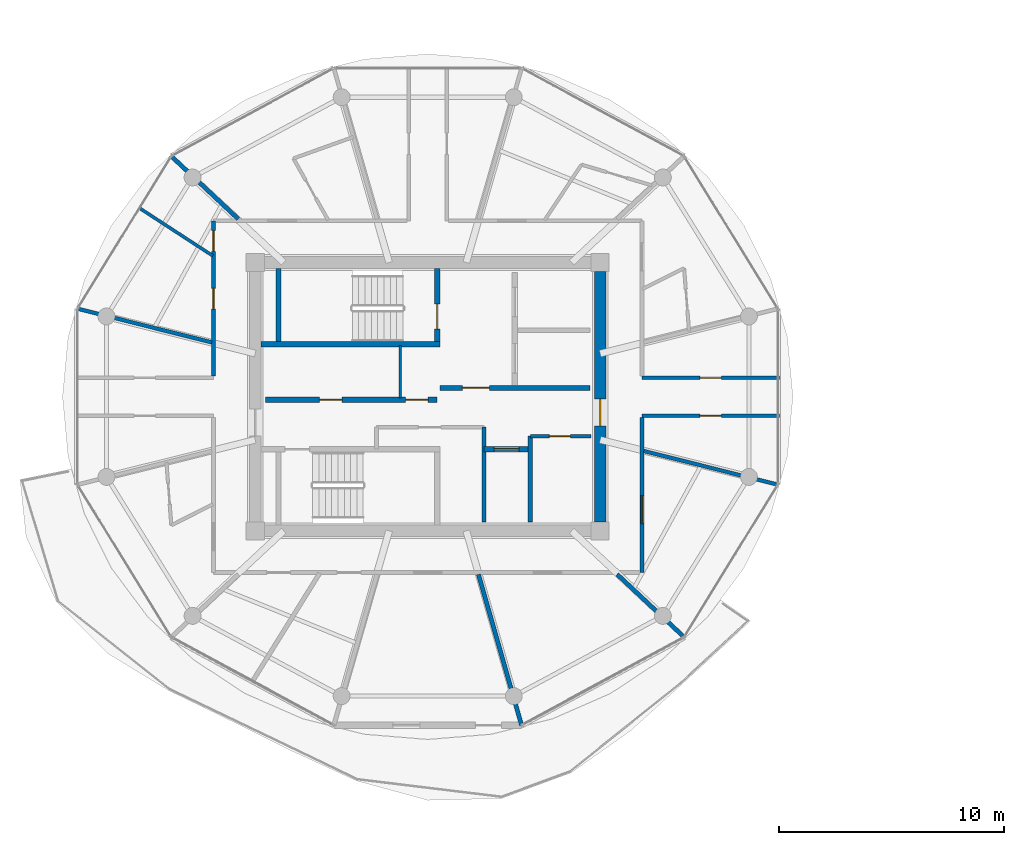
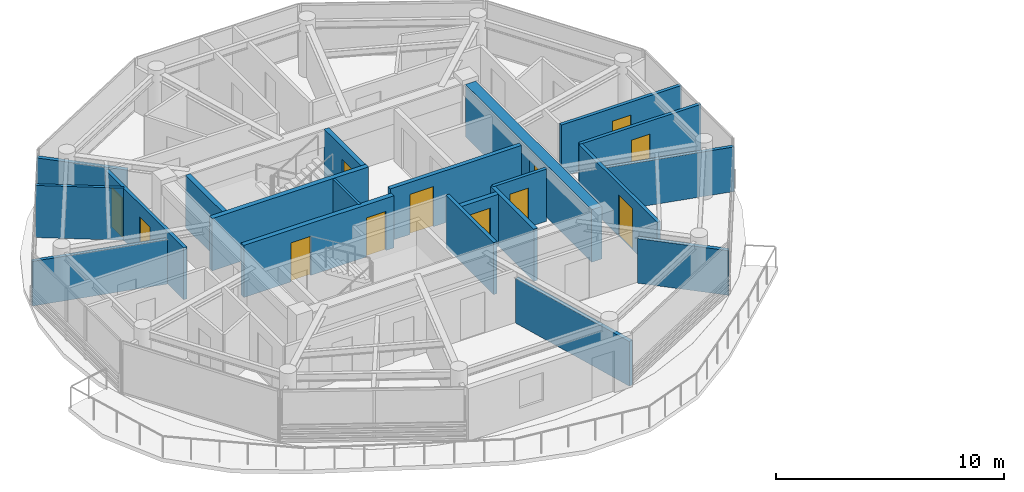
# One storey, part 10 of 19: 21 walls, 12 doors, 12 openings.
"""IFC4 building model written with IfcOpenShell, lengths in metres."""

from ifc_helpers import new_model, si_unit, direction, frame, frame_2d, origin, place, context, subcontext, project, spatial, rectangle, extrude, source, transform, mapped, material, layer, layer_set, type_object, type_shapes, element, fill, save


model = new_model("IFC4")

# Units and contexts
model_context = context("Model", 3, precision=1e-05, world=origin(), true_north=direction((0.0, 1.0)))
body_context = subcontext(model_context, "Body", "Model", "MODEL_VIEW")
ifc_project = project(units=[si_unit("LENGTHUNIT", "METRE"), si_unit("AREAUNIT", "SQUARE_METRE"), si_unit("VOLUMEUNIT", "CUBIC_METRE"), si_unit("PLANEANGLEUNIT", "RADIAN"), si_unit("MASSUNIT", "GRAM", prefix="KILO")], contexts=[model_context])

# Site, building, storey
site_placement = place(None, origin())
site = spatial("IfcSite", under=ifc_project, at=site_placement, CompositionType="ELEMENT")
building_placement = place(site_placement, origin())
building = spatial("IfcBuilding", under=site, at=building_placement, Name="Norrkilde Senior Care Towers", CompositionType="ELEMENT")
storey_placement = place(building_placement, frame((0.0, 0.0, 235.25)))
storey = spatial("IfcBuildingStorey", under=building, at=storey_placement, Name="L73", CompositionType="ELEMENT", Elevation=235.25)

# Wall, opening, door
ifc_material_1 = material(Name="Concrete C50/60", Category="concrete")
ifc_layer_1 = layer(ifc_material_1, 0.52001953125)
ifc_layer_set_1 = layer_set([ifc_layer_1], Name="Concrete C50/60")
wall_type_1 = type_object("IfcWallType", Name="Core Shear Wall Z4 520", PredefinedType="SHEAR", material=ifc_layer_set_1)
shared_shape_1 = source(origin(), body_context, "Body", "SweptSolid", [
    extrude(rectangle(XDim=11.10009765625, YDim=0.52001953125, at=frame_2d((5.550048828125, 0.0))), origin(), (0.0, 0.0, 1.0), 2.81005859375),
])
type_shapes(wall_type_1, [shared_shape_1])
wall_1_placement = place(storey_placement, frame((-20.35009765625, 5.550048828125, 0.0), z_axis=(0.0, 0.0, 1.0), x_axis=(0.0, -1.0, 0.0)))
wall_1 = element("IfcWall", 1, at=wall_1_placement, inside=storey, type_object=wall_type_1, Name="L73 Core W East Shear Wall", PredefinedType="SHEAR", context=body_context, shape_type="MappedRepresentation", body=[
    mapped(shared_shape_1, transform((0.0, 0.0, 0.0), x_axis=(1.0, 0.0, 0.0), y_axis=(0.0, 1.0, 0.0), z_axis=(0.0, 0.0, 1.0), scale=1.0)),
])
opening_1_placement = place(wall_1_placement, frame((5.64990234375, 0.0, 0.0)))
opening_1 = element("IfcOpeningElement", 2, at=opening_1_placement, cuts=wall_1, Name="Opening D-04", PredefinedType="OPENING", context=body_context, shape_type="SweptSolid", body=[
    extrude(rectangle(XDim=1.199951171875, YDim=2.14990234375, at=frame_2d((0.60009765625, 1.074951171875))), frame((0.0, 0.27001953125, 0.0), z_axis=(0.0, -1.0, 0.0), x_axis=(1.0, 0.0, 0.0)), (0.0, 0.0, 1.0), 0.5400390625),
])
ifc_material_2 = material(Name="Galvanised Painted Steel", Category="steel")
door_type_1 = type_object("IfcDoorType", Name="Firefighting Lobby Fire Door 1200x2150", OperationType="NOTDEFINED", PredefinedType="DOOR", material=ifc_material_2)
shared_shape_2 = source(origin(), body_context, "Body", "SweptSolid", [
    extrude(rectangle(XDim=1.199951171875, YDim=2.14990234375, at=frame_2d((0.60009765625, 1.074951171875))), frame((0.0, 0.02490234375, 0.0), z_axis=(0.0, -1.0, 0.0), x_axis=(1.0, 0.0, 0.0)), (0.0, 0.0, 1.0), 0.050048828125),
])
type_shapes(door_type_1, [shared_shape_2])
door_1_placement = place(opening_1_placement, frame((1.199951171875, 0.0, 0.0), z_axis=(0.0, 0.0, 1.0), x_axis=(-1.0, 0.0, 0.0)))
door_1 = element("IfcDoor", 3, at=door_1_placement, inside=storey, type_object=door_type_1, Name="L73 Core W East Portal Door", OperationType="SINGLE_SWING_RIGHT", OverallHeight=2.14990234375, OverallWidth=1.199951171875, PredefinedType="DOOR", context=body_context, shape_type="MappedRepresentation", body=[
    mapped(shared_shape_2, transform((0.0, 0.0, 0.0), x_axis=(1.0, 0.0, 0.0), y_axis=(0.0, 1.0, 0.0), z_axis=(0.0, 0.0, 1.0), scale=1.0)),
])
fill(opening_1, door_1)

ifc_material_3 = material(Name="Concrete C45/55", Category="concrete")
ifc_layer_2 = layer(ifc_material_3, 0.2099609375)
ifc_layer_set_2 = layer_set([ifc_layer_2], Name="Concrete C45/55")
wall_type_2 = type_object("IfcWallType", Name="Firefighting Lobby Wall 210", PredefinedType="PARTITIONING", material=ifc_layer_set_2)
shared_shape_3 = source(origin(), body_context, "Body", "SweptSolid", [
    extrude(rectangle(XDim=6.659912109375, YDim=0.2099609375, at=frame_2d((3.330078125, 0.0))), origin(), (0.0, 0.0, 1.0), 2.794921875),
])
type_shapes(wall_type_2, [shared_shape_3])
wall_2_placement = place(storey_placement, frame((-27.4599609375, 0.389892578125, 0.0), z_axis=(0.0, 0.0, 1.0), x_axis=(1.0, 0.0, 0.0)))
wall_2 = element("IfcWall", 4, at=wall_2_placement, inside=storey, type_object=wall_type_2, Name="WL-INT-L73-W-FFLS", PredefinedType="PARTITIONING", context=body_context, shape_type="MappedRepresentation", body=[
    mapped(shared_shape_3, transform((0.0, 0.0, 0.0), x_axis=(1.0, 0.0, 0.0), y_axis=(0.0, 1.0, 0.0), z_axis=(0.0, 0.0, 1.0), scale=1.0)),
])
opening_2_placement = place(wall_2_placement, frame((1.0, 0.0, 0.0)))
opening_2 = element("IfcOpeningElement", 5, at=opening_2_placement, cuts=wall_2, Name="Opening D-04", PredefinedType="OPENING", context=body_context, shape_type="SweptSolid", body=[
    extrude(rectangle(XDim=1.199951171875, YDim=2.14990234375, at=frame_2d((0.60009765625, 1.074951171875))), frame((0.0, 0.114990234375, 0.0), z_axis=(0.0, -1.0, 0.0), x_axis=(1.0, 0.0, 0.0)), (0.0, 0.0, 1.0), 0.22998046875),
])
door_2_placement = place(opening_2_placement, frame((1.199951171875, 0.0, 0.0), z_axis=(0.0, 0.0, 1.0), x_axis=(-1.0, 0.0, 0.0)))
door_2 = element("IfcDoor", 6, at=door_2_placement, inside=storey, type_object=door_type_1, Name="L73 Firefighting Lobby W Door", OperationType="SINGLE_SWING_LEFT", OverallHeight=2.14990234375, OverallWidth=1.199951171875, PredefinedType="DOOR", context=body_context, shape_type="MappedRepresentation", body=[
    mapped(shared_shape_2, transform((0.0, 0.0, 0.0), x_axis=(1.0, 0.0, 0.0), y_axis=(0.0, 1.0, 0.0), z_axis=(0.0, 0.0, 1.0), scale=1.0)),
])
fill(opening_2, door_2)

# Wall, openings, doors
ifc_layer_3 = layer(ifc_material_3, 0.239990234375)
ifc_layer_set_3 = layer_set([ifc_layer_3], Name="Concrete C45/55")
wall_type_3 = type_object("IfcWallType", Name="Lift and Plant Rated Enclosure Partition 240", PredefinedType="PARTITIONING", material=ifc_layer_set_3)
shared_shape_4 = source(origin(), body_context, "Body", "SweptSolid", [
    extrude(rectangle(XDim=7.619873046875, YDim=0.239990234375, at=frame_2d((3.81005859375, 0.0))), origin(), (0.0, 0.0, 1.0), 2.794921875),
])
wall_3_placement = place(storey_placement, frame((-35.199951171875, -0.1298828125, 0.0), z_axis=(0.0, 0.0, 1.0), x_axis=(1.0, 0.0, 0.0)))
wall_3 = element("IfcWall", 7, at=wall_3_placement, inside=storey, type_object=wall_type_3, Name="WL-INT-L73-W-PKAS", PredefinedType="PARTITIONING", context=body_context, shape_type="MappedRepresentation", body=[
    mapped(shared_shape_4, transform((0.0, 0.0, 0.0), x_axis=(1.0, 0.0, 0.0), y_axis=(0.0, 1.0, 0.0), z_axis=(0.0, 0.0, 1.0), scale=1.0)),
])
opening_3_placement = place(wall_3_placement, frame((6.219970703125, 0.0, 0.0)))
opening_3 = element("IfcOpeningElement", 8, at=opening_3_placement, cuts=wall_3, Name="Opening D-10", PredefinedType="OPENING", context=body_context, shape_type="SweptSolid", body=[
    extrude(rectangle(XDim=1.0, YDim=2.10009765625, at=frame_2d((0.5, 1.050048828125))), frame((0.0, 0.1298828125, 0.0), z_axis=(0.0, -1.0, 0.0), x_axis=(1.0, 0.0, 0.0)), (0.0, 0.0, 1.0), 0.260009765625),
])
opening_4_placement = place(wall_3_placement, frame((2.39990234375, 0.0, 0.0)))
opening_4 = element("IfcOpeningElement", 9, at=opening_4_placement, cuts=wall_3, Name="Opening D-10", PredefinedType="OPENING", context=body_context, shape_type="SweptSolid", body=[
    extrude(rectangle(XDim=1.0, YDim=2.10009765625, at=frame_2d((0.5, 1.050048828125))), frame((0.0, 0.1298828125, 0.0), z_axis=(0.0, -1.0, 0.0), x_axis=(1.0, 0.0, 0.0)), (0.0, 0.0, 1.0), 0.260009765625),
])
door_type_2 = type_object("IfcDoorType", Name="Plant and Riser Rated Door 1000x2100", OperationType="NOTDEFINED", PredefinedType="DOOR", material=ifc_material_2)
shared_shape_5 = source(origin(), body_context, "Body", "SweptSolid", [
    extrude(rectangle(XDim=1.0, YDim=2.10009765625, at=frame_2d((0.5, 1.050048828125))), frame((0.0, 0.02490234375, 0.0), z_axis=(0.0, -1.0, 0.0), x_axis=(1.0, 0.0, 0.0)), (0.0, 0.0, 1.0), 0.050048828125),
])
type_shapes(door_type_2, [shared_shape_5])
door_3_placement = place(opening_3_placement, frame((1.0, 0.0, 0.0), z_axis=(0.0, 0.0, 1.0), x_axis=(-1.0, 0.0, 0.0)))
door_3 = element("IfcDoor", 10, at=door_3_placement, inside=storey, type_object=door_type_2, Name="L73 Electrical Riser W Door", OperationType="SINGLE_SWING_LEFT", OverallHeight=2.10009765625, OverallWidth=1.0, PredefinedType="DOOR", context=body_context, shape_type="MappedRepresentation", body=[
    mapped(shared_shape_5, transform((0.0, 0.0, 0.0), x_axis=(1.0, 0.0, 0.0), y_axis=(0.0, 1.0, 0.0), z_axis=(0.0, 0.0, 1.0), scale=1.0)),
])
fill(opening_3, door_3)
door_4_placement = place(opening_4_placement, frame((1.0, 0.0, 0.0), z_axis=(0.0, 0.0, 1.0), x_axis=(-1.0, 0.0, 0.0)))
door_4 = element("IfcDoor", 11, at=door_4_placement, inside=storey, type_object=door_type_2, Name="L73 Clean Supply Store W Door", OperationType="SINGLE_SWING_LEFT", OverallHeight=2.10009765625, OverallWidth=1.0, PredefinedType="DOOR", context=body_context, shape_type="MappedRepresentation", body=[
    mapped(shared_shape_5, transform((0.0, 0.0, 0.0), x_axis=(1.0, 0.0, 0.0), y_axis=(0.0, 1.0, 0.0), z_axis=(0.0, 0.0, 1.0), scale=1.0)),
])
fill(opening_4, door_4)

# Walls
ifc_material_4 = material(Name="Gypsum Acoustic Board")
ifc_layer_4 = layer(ifc_material_4, 0.114990234375)
ifc_layer_set_4 = layer_set([ifc_layer_4], Name="Gypsum Acoustic Board")
wall_type_4 = type_object("IfcWallType", Name="Internal Room Partition 115", PredefinedType="PARTITIONING", material=ifc_layer_set_4)
shared_shape_6 = source(origin(), body_context, "Body", "SweptSolid", [
    extrude(rectangle(XDim=2.330078125, YDim=0.114990234375, at=frame_2d((1.1650390625, 0.0))), origin(), (0.0, 0.0, 1.0), 2.794921875),
])
type_shapes(wall_type_4, [shared_shape_6])
wall_4_placement = place(storey_placement, frame((-29.2099609375, -0.050048828125, 0.0), z_axis=(0.0, 0.0, 1.0), x_axis=(0.0, 1.0, 0.0)))
element("IfcWall", 12, at=wall_4_placement, inside=storey, type_object=wall_type_4, Name="WL-INT-L73-W-RISW", PredefinedType="PARTITIONING", context=body_context, shape_type="MappedRepresentation", body=[
    mapped(shared_shape_6, transform((0.0, 0.0, 0.0), x_axis=(1.0, 0.0, 0.0), y_axis=(0.0, 1.0, 0.0), z_axis=(0.0, 0.0, 1.0), scale=1.0)),
])
ifc_layer_5 = layer(ifc_material_3, 0.199951171875)
ifc_layer_set_5 = layer_set([ifc_layer_5], Name="Concrete C45/55")
wall_type_5 = type_object("IfcWallType", Name="Shaft Division and Plant Partition 200", PredefinedType="PARTITIONING", material=ifc_layer_set_5)
shared_shape_7 = source(origin(), body_context, "Body", "SweptSolid", [
    extrude(rectangle(XDim=3.800048828125, YDim=0.199951171875, at=frame_2d((1.89990234375, 0.0))), origin(), (0.0, 0.0, 1.0), 2.794921875),
])
type_shapes(wall_type_5, [shared_shape_7])
wall_5_placement = place(storey_placement, frame((-23.449951171875, -5.550048828125, 0.0), z_axis=(0.0, 0.0, 1.0), x_axis=(0.0, 1.0, 0.0)))
element("IfcWall", 13, at=wall_5_placement, inside=storey, type_object=wall_type_5, Name="WL-INT-L73-W-PKBE", PredefinedType="PARTITIONING", context=body_context, shape_type="MappedRepresentation", body=[
    mapped(shared_shape_7, transform((0.0, 0.0, 0.0), x_axis=(1.0, 0.0, 0.0), y_axis=(0.0, 1.0, 0.0), z_axis=(0.0, 0.0, 1.0), scale=1.0)),
])

# Wall, opening, door
ifc_layer_6 = layer(ifc_material_4, 0.1650390625)
ifc_layer_set_6 = layer_set([ifc_layer_6], Name="Gypsum Acoustic Board")
wall_type_6 = type_object("IfcWallType", Name="Corridor Rated Partition 165", PredefinedType="PARTITIONING", material=ifc_layer_set_6)
shared_shape_8 = source(origin(), body_context, "Body", "SweptSolid", [
    extrude(rectangle(XDim=2.699951171875, YDim=0.1650390625, at=frame_2d((1.35009765625, 0.0))), origin(), (0.0, 0.0, 1.0), 2.794921875),
])
wall_6_placement = place(storey_placement, frame((-23.449951171875, -1.75, 0.0), z_axis=(0.0, 0.0, 1.0), x_axis=(1.0, 0.0, 0.0)))
wall_6 = element("IfcWall", 14, at=wall_6_placement, inside=storey, type_object=wall_type_6, Name="WL-INT-L73-W-CSN", PredefinedType="PARTITIONING", context=body_context, shape_type="MappedRepresentation", body=[
    mapped(shared_shape_8, transform((0.0, 0.0, 0.0), x_axis=(1.0, 0.0, 0.0), y_axis=(0.0, 1.0, 0.0), z_axis=(0.0, 0.0, 1.0), scale=1.0)),
])
opening_5_placement = place(wall_6_placement, frame((0.85009765625, 0.0, 0.0)))
opening_5 = element("IfcOpeningElement", 15, at=opening_5_placement, cuts=wall_6, Name="Opening D-12", PredefinedType="OPENING", context=body_context, shape_type="SweptSolid", body=[
    extrude(rectangle(XDim=0.925048828125, YDim=2.10009765625, at=frame_2d((0.46240234375, 1.050048828125))), frame((0.0, 0.092529296875, 0.0), z_axis=(0.0, -1.0, 0.0), x_axis=(1.0, 0.0, 0.0)), (0.0, 0.0, 1.0), 0.18505859375),
])
door_type_3 = type_object("IfcDoorType", Name="Core Wet Room Rated Door 925x2100", OperationType="NOTDEFINED", PredefinedType="DOOR", material=ifc_material_2)
shared_shape_9 = source(origin(), body_context, "Body", "SweptSolid", [
    extrude(rectangle(XDim=0.925048828125, YDim=2.10009765625, at=frame_2d((0.46240234375, 1.050048828125))), frame((0.0, 0.02490234375, 0.0), z_axis=(0.0, -1.0, 0.0), x_axis=(1.0, 0.0, 0.0)), (0.0, 0.0, 1.0), 0.050048828125),
])
type_shapes(door_type_3, [shared_shape_9])
door_5_placement = place(opening_5_placement, origin())
door_5 = element("IfcDoor", 16, at=door_5_placement, inside=storey, type_object=door_type_3, Name="L73 Core Utility W Door", OperationType="SINGLE_SWING_LEFT", OverallHeight=2.10009765625, OverallWidth=0.925048828125, PredefinedType="DOOR", context=body_context, shape_type="MappedRepresentation", body=[
    mapped(shared_shape_9, transform((0.0, 0.0, 0.0), x_axis=(1.0, 0.0, 0.0), y_axis=(0.0, 1.0, 0.0), z_axis=(0.0, 0.0, 1.0), scale=1.0)),
])
fill(opening_5, door_5)

shared_shape_10 = source(origin(), body_context, "Body", "SweptSolid", [
    extrude(rectangle(XDim=2.050048828125, YDim=0.239990234375, at=frame_2d((1.02490234375, 0.0))), origin(), (0.0, 0.0, 1.0), 2.794921875),
])
type_shapes(wall_type_3, [shared_shape_4, shared_shape_10])
wall_7_placement = place(storey_placement, frame((-25.5, -2.330078125, 0.0), z_axis=(0.0, 0.0, 1.0), x_axis=(1.0, 0.0, 0.0)))
wall_7 = element("IfcWall", 17, at=wall_7_placement, inside=storey, type_object=wall_type_3, Name="WL-INT-L73-W-PL4N", PredefinedType="PARTITIONING", context=body_context, shape_type="MappedRepresentation", body=[
    mapped(shared_shape_10, transform((0.0, 0.0, 0.0), x_axis=(1.0, 0.0, 0.0), y_axis=(0.0, 1.0, 0.0), z_axis=(0.0, 0.0, 1.0), scale=1.0)),
])
opening_6_placement = place(wall_7_placement, frame((0.449951171875, 0.0, 0.0)))
opening_6 = element("IfcOpeningElement", 18, at=opening_6_placement, cuts=wall_7, Name="Opening LD-01", PredefinedType="OPENING", context=body_context, shape_type="SweptSolid", body=[
    extrude(rectangle(XDim=1.10009765625, YDim=2.199951171875, at=frame_2d((0.550048828125, 1.10009765625))), frame((0.0, 0.1298828125, 0.0), z_axis=(0.0, -1.0, 0.0), x_axis=(1.0, 0.0, 0.0)), (0.0, 0.0, 1.0), 0.260009765625),
])
ifc_material_5 = material(Name="Stainless Steel", Category="steel")
door_type_4 = type_object("IfcDoorType", Name="Lift Landing Sliding Door 1100x2200", OperationType="NOTDEFINED", PredefinedType="DOOR", material=ifc_material_5)
shared_shape_11 = source(origin(), body_context, "Body", "SweptSolid", [
    extrude(rectangle(XDim=1.10009765625, YDim=2.199951171875, at=frame_2d((0.550048828125, 1.10009765625))), frame((0.0, 0.02490234375, 0.0), z_axis=(0.0, -1.0, 0.0), x_axis=(1.0, 0.0, 0.0)), (0.0, 0.0, 1.0), 0.050048828125),
])
type_shapes(door_type_4, [shared_shape_11])
door_6_placement = place(opening_6_placement, frame((1.10009765625, 0.0, 0.0), z_axis=(0.0, 0.0, 1.0), x_axis=(-1.0, 0.0, 0.0)))
door_6 = element("IfcDoor", 19, at=door_6_placement, inside=storey, type_object=door_type_4, Name="L73 Passenger Lift W4 Landing Door", OperationType="SLIDING_TO_RIGHT", OverallHeight=2.199951171875, OverallWidth=1.10009765625, PredefinedType="DOOR", context=body_context, shape_type="MappedRepresentation", body=[
    mapped(shared_shape_11, transform((0.0, 0.0, 0.0), x_axis=(1.0, 0.0, 0.0), y_axis=(0.0, 1.0, 0.0), z_axis=(0.0, 0.0, 1.0), scale=1.0)),
])
fill(opening_6, door_6)

# Wall
ifc_layer_7 = layer(ifc_material_3, 0.179931640625)
ifc_layer_set_7 = layer_set([ifc_layer_7], Name="Concrete C45/55")
wall_type_7 = type_object("IfcWallType", Name="Hoistway Division Rated Partition 180", PredefinedType="PARTITIONING", material=ifc_layer_set_7)
shared_shape_12 = source(origin(), body_context, "Body", "SweptSolid", [
    extrude(rectangle(XDim=4.199951171875, YDim=0.179931640625, at=frame_2d((2.10009765625, 0.0))), origin(), (0.0, 0.0, 1.0), 2.794921875),
])
type_shapes(wall_type_7, [shared_shape_12])
wall_8_placement = place(storey_placement, frame((-25.5, -5.550048828125, 0.0), z_axis=(0.0, 0.0, 1.0), x_axis=(0.0, 1.0, 0.0)))
element("IfcWall", 20, at=wall_8_placement, inside=storey, type_object=wall_type_7, Name="WL-INT-L73-W-PL4W", PredefinedType="PARTITIONING", context=body_context, shape_type="MappedRepresentation", body=[
    mapped(shared_shape_12, transform((0.0, 0.0, 0.0), x_axis=(1.0, 0.0, 0.0), y_axis=(0.0, 1.0, 0.0), z_axis=(0.0, 0.0, 1.0), scale=1.0)),
])

# Wall, openings, doors
shared_shape_13 = source(origin(), body_context, "Body", "SweptSolid", [
    extrude(rectangle(XDim=6.880126953125, YDim=0.1650390625, at=frame_2d((3.43994140625, 0.0))), origin(), (0.0, 0.0, 1.0), 2.794921875),
])
wall_9_placement = place(storey_placement, frame((-37.5, 0.919921875, 0.0), z_axis=(0.0, 0.0, 1.0), x_axis=(0.0, 1.0, 0.0)))
wall_9 = element("IfcWall", 21, at=wall_9_placement, inside=storey, type_object=wall_type_6, Name="WL-INT-L73-W-CRW-W-1", PredefinedType="PARTITIONING", context=body_context, shape_type="MappedRepresentation", body=[
    mapped(shared_shape_13, transform((0.0, 0.0, 0.0), x_axis=(1.0, 0.0, 0.0), y_axis=(0.0, 1.0, 0.0), z_axis=(0.0, 0.0, 1.0), scale=1.0)),
])
opening_7_placement = place(wall_9_placement, frame((5.525146484375, 0.0, 0.0)))
opening_7 = element("IfcOpeningElement", 22, at=opening_7_placement, cuts=wall_9, Name="Opening D-08", PredefinedType="OPENING", context=body_context, shape_type="SweptSolid", body=[
    extrude(rectangle(XDim=0.919921875, YDim=2.10009765625, at=frame_2d((0.4599609375, 1.050048828125))), frame((0.0, 0.092529296875, 0.0), z_axis=(0.0, -1.0, 0.0), x_axis=(1.0, 0.0, 0.0)), (0.0, 0.0, 1.0), 0.18505859375),
])
opening_8_placement = place(wall_9_placement, frame((2.96240234375, 0.0, 0.0)))
opening_8 = element("IfcOpeningElement", 23, at=opening_8_placement, cuts=wall_9, Name="Opening D-08", PredefinedType="OPENING", context=body_context, shape_type="SweptSolid", body=[
    extrude(rectangle(XDim=0.919921875, YDim=2.10009765625, at=frame_2d((0.4599609375, 1.050048828125))), frame((0.0, 0.092529296875, 0.0), z_axis=(0.0, -1.0, 0.0), x_axis=(1.0, 0.0, 0.0)), (0.0, 0.0, 1.0), 0.18505859375),
])
ifc_material_6 = material(Name="Nordic Ash Timber", Category="wood")
door_type_5 = type_object("IfcDoorType", Name="Accessible Wet Room Door 920x2100", OperationType="NOTDEFINED", PredefinedType="DOOR", material=ifc_material_6)
shared_shape_14 = source(origin(), body_context, "Body", "SweptSolid", [
    extrude(rectangle(XDim=0.919921875, YDim=2.10009765625, at=frame_2d((0.4599609375, 1.050048828125))), frame((0.0, 0.02490234375, 0.0), z_axis=(0.0, -1.0, 0.0), x_axis=(1.0, 0.0, 0.0)), (0.0, 0.0, 1.0), 0.050048828125),
])
type_shapes(door_type_5, [shared_shape_14])
door_7_placement = place(opening_7_placement, frame((0.919921875, 0.0, 0.0), z_axis=(0.0, 0.0, 1.0), x_axis=(-1.0, 0.0, 0.0)))
door_7 = element("IfcDoor", 24, at=door_7_placement, inside=storey, type_object=door_type_5, Name="L73 Accessible Restroom Door", OperationType="SINGLE_SWING_LEFT", OverallHeight=2.10009765625, OverallWidth=0.919921875, PredefinedType="DOOR", context=body_context, shape_type="MappedRepresentation", body=[
    mapped(shared_shape_14, transform((0.0, 0.0, 0.0), x_axis=(1.0, 0.0, 0.0), y_axis=(0.0, 1.0, 0.0), z_axis=(0.0, 0.0, 1.0), scale=1.0)),
])
fill(opening_7, door_7)
door_8_placement = place(opening_8_placement, frame((0.919921875, 0.0, 0.0), z_axis=(0.0, 0.0, 1.0), x_axis=(-1.0, 0.0, 0.0)))
door_8 = element("IfcDoor", 25, at=door_8_placement, inside=storey, type_object=door_type_5, Name="L73 Public Restroom Door", OperationType="SINGLE_SWING_RIGHT", OverallHeight=2.10009765625, OverallWidth=0.919921875, PredefinedType="DOOR", context=body_context, shape_type="MappedRepresentation", body=[
    mapped(shared_shape_14, transform((0.0, 0.0, 0.0), x_axis=(1.0, 0.0, 0.0), y_axis=(0.0, 1.0, 0.0), z_axis=(0.0, 0.0, 1.0), scale=1.0)),
])
fill(opening_8, door_8)

# Wall, opening, door
wall_10_placement = place(storey_placement, frame((-18.5, -0.919921875, 0.0), z_axis=(0.0, 0.0, 1.0), x_axis=(0.0, -1.0, 0.0)))
wall_10 = element("IfcWall", 26, at=wall_10_placement, inside=storey, type_object=wall_type_6, Name="WL-INT-L73-W-CRW-E-1", PredefinedType="PARTITIONING", context=body_context, shape_type="MappedRepresentation", body=[
    mapped(shared_shape_13, transform((0.0, 0.0, 0.0), x_axis=(1.0, 0.0, 0.0), y_axis=(0.0, 1.0, 0.0), z_axis=(0.0, 0.0, 1.0), scale=1.0)),
])
opening_9_placement = place(wall_10_placement, frame((3.46435546875, 0.0, 0.0)))
opening_9 = element("IfcOpeningElement", 27, at=opening_9_placement, cuts=wall_10, Name="Opening D-05", PredefinedType="OPENING", context=body_context, shape_type="SweptSolid", body=[
    extrude(rectangle(XDim=1.25, YDim=2.199951171875, at=frame_2d((0.625, 1.10009765625))), frame((0.0, 0.092529296875, 0.0), z_axis=(0.0, -1.0, 0.0), x_axis=(1.0, 0.0, 0.0)), (0.0, 0.0, 1.0), 0.18505859375),
])
door_type_6 = type_object("IfcDoorType", Name="Care Bedroom Bariatric Door 1250x2200", OperationType="NOTDEFINED", PredefinedType="DOOR", material=ifc_material_6)
shared_shape_15 = source(origin(), body_context, "Body", "SweptSolid", [
    extrude(rectangle(XDim=1.25, YDim=2.199951171875, at=frame_2d((0.625, 1.10009765625))), frame((0.0, 0.02490234375, 0.0), z_axis=(0.0, -1.0, 0.0), x_axis=(1.0, 0.0, 0.0)), (0.0, 0.0, 1.0), 0.050048828125),
])
type_shapes(door_type_6, [shared_shape_15])
door_9_placement = place(opening_9_placement, frame((1.25, 0.0, 0.0), z_axis=(0.0, 0.0, 1.0), x_axis=(-1.0, 0.0, 0.0)))
door_9 = element("IfcDoor", 28, at=door_9_placement, inside=storey, type_object=door_type_6, Name="L73 Household Therapeutic Kitchen Door", OperationType="SINGLE_SWING_LEFT", OverallHeight=2.199951171875, OverallWidth=1.25, PredefinedType="DOOR", context=body_context, shape_type="MappedRepresentation", body=[
    mapped(shared_shape_15, transform((0.0, 0.0, 0.0), x_axis=(1.0, 0.0, 0.0), y_axis=(0.0, 1.0, 0.0), z_axis=(0.0, 0.0, 1.0), scale=1.0)),
])
fill(opening_9, door_9)

# Walls
ifc_layer_8 = layer(ifc_material_3, 0.239990234375)
ifc_layer_set_8 = layer_set([ifc_layer_8], Name="Concrete C45/55")
wall_type_8 = type_object("IfcWallType", Name="Shaft and Stair Enclosure Wall 240", PredefinedType="PARTITIONING", material=ifc_layer_set_8)
shared_shape_16 = source(origin(), body_context, "Body", "SweptSolid", [
    extrude(rectangle(XDim=7.929931640625, YDim=0.239990234375, at=frame_2d((3.96484375, 0.0))), origin(), (0.0, 0.0, 1.0), 2.81005859375),
])
wall_11_placement = place(storey_placement, frame((-35.389892578125, 2.330078125, 0.0), z_axis=(0.0, 0.0, 1.0), x_axis=(1.0, 0.0, 0.0)))
element("IfcWall", 29, at=wall_11_placement, inside=storey, type_object=wall_type_8, Name="WL-INT-L73-W-ST1S", PredefinedType="PARTITIONING", context=body_context, shape_type="MappedRepresentation", body=[
    mapped(shared_shape_16, transform((0.0, 0.0, 0.0), x_axis=(1.0, 0.0, 0.0), y_axis=(0.0, 1.0, 0.0), z_axis=(0.0, 0.0, 1.0), scale=1.0)),
])
shared_shape_17 = source(origin(), body_context, "Body", "SweptSolid", [
    extrude(rectangle(XDim=3.239990234375, YDim=0.239990234375, at=frame_2d((1.6201171875, 0.0))), origin(), (0.0, 0.0, 1.0), 2.81005859375),
])
type_shapes(wall_type_8, [shared_shape_16, shared_shape_17])
wall_12_placement = place(storey_placement, frame((-34.6201171875, 2.449951171875, 0.0), z_axis=(0.0, 0.0, 1.0), x_axis=(0.0, 1.0, 0.0)))
element("IfcWall", 30, at=wall_12_placement, inside=storey, type_object=wall_type_8, Name="WL-INT-L73-W-ST1W", PredefinedType="PARTITIONING", context=body_context, shape_type="MappedRepresentation", body=[
    mapped(shared_shape_17, transform((0.0, 0.0, 0.0), x_axis=(1.0, 0.0, 0.0), y_axis=(0.0, 1.0, 0.0), z_axis=(0.0, 0.0, 1.0), scale=1.0)),
])

# Wall, opening, door
wall_13_placement = place(storey_placement, frame((-27.580078125, 2.449951171875, 0.0), z_axis=(0.0, 0.0, 1.0), x_axis=(0.0, 1.0, 0.0)))
wall_13 = element("IfcWall", 31, at=wall_13_placement, inside=storey, type_object=wall_type_8, Name="WL-INT-L73-W-ST1E", PredefinedType="PARTITIONING", context=body_context, shape_type="MappedRepresentation", body=[
    mapped(shared_shape_17, transform((0.0, 0.0, 0.0), x_axis=(1.0, 0.0, 0.0), y_axis=(0.0, 1.0, 0.0), z_axis=(0.0, 0.0, 1.0), scale=1.0)),
])
opening_10_placement = place(wall_13_placement, frame((0.550048828125, 0.0, 0.0)))
opening_10 = element("IfcOpeningElement", 32, at=opening_10_placement, cuts=wall_13, Name="Opening D-03", PredefinedType="OPENING", context=body_context, shape_type="SweptSolid", body=[
    extrude(rectangle(XDim=1.10009765625, YDim=2.14990234375, at=frame_2d((0.550048828125, 1.074951171875))), frame((0.0, 0.1298828125, 0.0), z_axis=(0.0, -1.0, 0.0), x_axis=(1.0, 0.0, 0.0)), (0.0, 0.0, 1.0), 0.260009765625),
])
door_type_7 = type_object("IfcDoorType", Name="Stairwell Protected Fire Door 1100x2150", OperationType="NOTDEFINED", PredefinedType="DOOR", material=ifc_material_2)
shared_shape_18 = source(origin(), body_context, "Body", "SweptSolid", [
    extrude(rectangle(XDim=1.10009765625, YDim=2.14990234375, at=frame_2d((0.550048828125, 1.074951171875))), frame((0.0, 0.02490234375, 0.0), z_axis=(0.0, -1.0, 0.0), x_axis=(1.0, 0.0, 0.0)), (0.0, 0.0, 1.0), 0.050048828125),
])
type_shapes(door_type_7, [shared_shape_18])
door_10_placement = place(opening_10_placement, origin())
door_10 = element("IfcDoor", 33, at=door_10_placement, inside=storey, type_object=door_type_7, Name="L73 Stair W1 Fire Door", OperationType="SINGLE_SWING_LEFT", OverallHeight=2.14990234375, OverallWidth=1.10009765625, PredefinedType="DOOR", context=body_context, shape_type="MappedRepresentation", body=[
    mapped(shared_shape_18, transform((0.0, 0.0, 0.0), x_axis=(1.0, 0.0, 0.0), y_axis=(0.0, 1.0, 0.0), z_axis=(0.0, 0.0, 1.0), scale=1.0)),
])
fill(opening_10, door_10)

# Walls
shared_shape_19 = source(origin(), body_context, "Body", "SweptSolid", [
    extrude(rectangle(XDim=6.1572265625, YDim=0.1650390625, at=frame_2d((3.07861328125, 0.0))), origin(), (0.0, 0.0, 1.0), 2.39501953125),
])
for number, where, z_axis, x_axis, name in (
    (34, (-37.580078125, 2.407470703125, 0.0), (0.0, 0.0, 1.0), (-0.969840867184, 0.243738984038, 0.0), "WL-INT-L73-W-DEM-05-0"),
    (35, (-18.419921875, -2.407470703125, 0.0), (0.0, 0.0, 1.0), (0.969840867184, -0.243738984038, 0.0), "WL-INT-L73-W-DEM-11-0"),
):
    element("IfcWall", number, at=place(storey_placement, frame(where, z_axis=z_axis, x_axis=x_axis)), inside=storey, type_object=wall_type_6, Name=name, PredefinedType="PARTITIONING", context=body_context, shape_type="MappedRepresentation", body=[
        mapped(shared_shape_19, transform((0.0, 0.0, 0.0), x_axis=(1.0, 0.0, 0.0), y_axis=(0.0, 1.0, 0.0), z_axis=(0.0, 0.0, 1.0), scale=1.0)),
    ])
ifc_layer_9 = layer(ifc_material_4, 0.18994140625)
ifc_layer_set_9 = layer_set([ifc_layer_9], Name="Gypsum Acoustic Board")
wall_type_9 = type_object("IfcWallType", Name="Unit Demising Acoustic Wall 190", PredefinedType="PARTITIONING", material=ifc_layer_set_9)
shared_shape_20 = source(origin(), body_context, "Body", "SweptSolid", [
    extrude(rectangle(XDim=4.089111328125, YDim=0.18994140625, at=frame_2d((2.04443359375, 0.0))), origin(), (0.0, 0.0, 1.0), 2.39501953125),
])
for number, where, z_axis, x_axis, name in (
    (36, (-36.40185546875, 7.8798828125, 0.0), (0.0, 0.0, 1.0), (-0.729401273609, 0.684086092577, 0.0), "WL-INT-L73-W-DEM-04-0"),
    (37, (-19.59814453125, -7.8798828125, 0.0), (0.0, 0.0, 1.0), (0.729401273609, -0.684086092577, 0.0), "WL-INT-L73-W-DEM-10-0"),
):
    element("IfcWall", number, at=place(storey_placement, frame(where, z_axis=z_axis, x_axis=x_axis)), inside=storey, type_object=wall_type_9, Name=name, PredefinedType="PARTITIONING", context=body_context, shape_type="MappedRepresentation", body=[
        mapped(shared_shape_20, transform((0.0, 0.0, 0.0), x_axis=(1.0, 0.0, 0.0), y_axis=(0.0, 1.0, 0.0), z_axis=(0.0, 0.0, 1.0), scale=1.0)),
    ])
shared_shape_21 = source(origin(), body_context, "Body", "SweptSolid", [
    extrude(rectangle(XDim=6.973876953125, YDim=0.18994140625, at=frame_2d((3.48681640625, 0.0))), origin(), (0.0, 0.0, 1.0), 2.39501953125),
])
type_shapes(wall_type_9, [shared_shape_20, shared_shape_21])
wall_14_placement = place(storey_placement, frame((-25.748779296875, -7.8798828125, 0.0), z_axis=(0.0, 0.0, 1.0), x_axis=(0.274707256801, -0.961527910703, 0.0)))
element("IfcWall", 38, at=wall_14_placement, inside=storey, type_object=wall_type_9, Name="WL-INT-L73-W-DEM-09-0", PredefinedType="PARTITIONING", context=body_context, shape_type="MappedRepresentation", body=[
    mapped(shared_shape_21, transform((0.0, 0.0, 0.0), x_axis=(1.0, 0.0, 0.0), y_axis=(0.0, 1.0, 0.0), z_axis=(0.0, 0.0, 1.0), scale=1.0)),
])

# Wall, opening, door
shared_shape_22 = source(origin(), body_context, "Body", "SweptSolid", [
    extrude(rectangle(XDim=6.101318359375, YDim=0.1650390625, at=frame_2d((3.05078125, 0.0))), origin(), (0.0, 0.0, 1.0), 2.794921875),
])
type_shapes(wall_type_6, [shared_shape_8, shared_shape_13, shared_shape_19, shared_shape_22])
wall_15_placement = place(storey_placement, frame((-18.5, 0.840087890625, 0.0), z_axis=(0.0, 0.0, 1.0), x_axis=(1.0, 0.0, 0.0)))
wall_15 = element("IfcWall", 39, at=wall_15_placement, inside=storey, type_object=wall_type_6, Name="WL-INT-L73-W-SPK-E1-0", PredefinedType="PARTITIONING", context=body_context, shape_type="MappedRepresentation", body=[
    mapped(shared_shape_22, transform((0.0, 0.0, 0.0), x_axis=(1.0, 0.0, 0.0), y_axis=(0.0, 1.0, 0.0), z_axis=(0.0, 0.0, 1.0), scale=1.0)),
])
opening_11_placement = place(wall_15_placement, frame((2.57568359375, 0.0, 0.0)))
opening_11 = element("IfcOpeningElement", 40, at=opening_11_placement, cuts=wall_15, Name="Opening D-07", PredefinedType="OPENING", context=body_context, shape_type="SweptSolid", body=[
    extrude(rectangle(XDim=0.949951171875, YDim=2.10009765625, at=frame_2d((0.47509765625, 1.050048828125))), frame((0.0, 0.092529296875, 0.0), z_axis=(0.0, -1.0, 0.0), x_axis=(1.0, 0.0, 0.0)), (0.0, 0.0, 1.0), 0.18505859375),
])
door_type_8 = type_object("IfcDoorType", Name="Internal Suite Bedroom Door 950x2100", OperationType="NOTDEFINED", PredefinedType="DOOR", material=ifc_material_6)
shared_shape_23 = source(origin(), body_context, "Body", "SweptSolid", [
    extrude(rectangle(XDim=0.949951171875, YDim=2.10009765625, at=frame_2d((0.47509765625, 1.050048828125))), frame((0.0, 0.02490234375, 0.0), z_axis=(0.0, -1.0, 0.0), x_axis=(1.0, 0.0, 0.0)), (0.0, 0.0, 1.0), 0.050048828125),
])
type_shapes(door_type_8, [shared_shape_23])
door_11_placement = place(opening_11_placement, frame((0.949951171875, 0.0, 0.0), z_axis=(0.0, 0.0, 1.0), x_axis=(-1.0, 0.0, 0.0)))
door_11 = element("IfcDoor", 41, at=door_11_placement, inside=storey, type_object=door_type_8, Name="L73 Sun Reading Lounge 6 Door", OperationType="SINGLE_SWING_LEFT", OverallHeight=2.10009765625, OverallWidth=0.949951171875, PredefinedType="DOOR", context=body_context, shape_type="MappedRepresentation", body=[
    mapped(shared_shape_23, transform((0.0, 0.0, 0.0), x_axis=(1.0, 0.0, 0.0), y_axis=(0.0, 1.0, 0.0), z_axis=(0.0, 0.0, 1.0), scale=1.0)),
])
fill(opening_11, door_11)

wall_16_placement = place(storey_placement, frame((-12.398681640625, -0.840087890625, 0.0), z_axis=(0.0, 0.0, 1.0), x_axis=(-1.0, 0.0, 0.0)))
wall_16 = element("IfcWall", 42, at=wall_16_placement, inside=storey, type_object=wall_type_6, Name="WL-INT-L73-W-SPK-E2-0", PredefinedType="PARTITIONING", context=body_context, shape_type="MappedRepresentation", body=[
    mapped(shared_shape_22, transform((0.0, 0.0, 0.0), x_axis=(1.0, 0.0, 0.0), y_axis=(0.0, 1.0, 0.0), z_axis=(0.0, 0.0, 1.0), scale=1.0)),
])
opening_12_placement = place(wall_16_placement, frame((2.57568359375, 0.0, 0.0)))
opening_12 = element("IfcOpeningElement", 43, at=opening_12_placement, cuts=wall_16, Name="Opening D-07", PredefinedType="OPENING", context=body_context, shape_type="SweptSolid", body=[
    extrude(rectangle(XDim=0.949951171875, YDim=2.10009765625, at=frame_2d((0.47509765625, 1.050048828125))), frame((0.0, 0.092529296875, 0.0), z_axis=(0.0, -1.0, 0.0), x_axis=(1.0, 0.0, 0.0)), (0.0, 0.0, 1.0), 0.18505859375),
])
door_12_placement = place(opening_12_placement, frame((0.949951171875, 0.0, 0.0), z_axis=(0.0, 0.0, 1.0), x_axis=(-1.0, 0.0, 0.0)))
door_12 = element("IfcDoor", 44, at=door_12_placement, inside=storey, type_object=door_type_8, Name="L73 Sun Reading Lounge 5 Door", OperationType="SINGLE_SWING_RIGHT", OverallHeight=2.10009765625, OverallWidth=0.949951171875, PredefinedType="DOOR", context=body_context, shape_type="MappedRepresentation", body=[
    mapped(shared_shape_23, transform((0.0, 0.0, 0.0), x_axis=(1.0, 0.0, 0.0), y_axis=(0.0, 1.0, 0.0), z_axis=(0.0, 0.0, 1.0), scale=1.0)),
])
fill(opening_12, door_12)

# Wall
ifc_layer_10 = layer(ifc_material_4, 0.139892578125)
ifc_layer_set_10 = layer_set([ifc_layer_10], Name="Gypsum Acoustic Board")
wall_type_10 = type_object("IfcWallType", Name="En-suite Wet Room Wall 140", PredefinedType="PARTITIONING", material=ifc_layer_set_10)
shared_shape_24 = source(origin(), body_context, "Body", "SweptSolid", [
    extrude(rectangle(XDim=3.903564453125, YDim=0.139892578125, at=frame_2d((1.95166015625, 0.0))), origin(), (0.0, 0.0, 1.0), 2.794921875),
])
type_shapes(wall_type_10, [shared_shape_24])
wall_17_placement = place(storey_placement, frame((-37.530029296875, 6.245849609375, 0.0), z_axis=(0.0, 0.0, 1.0), x_axis=(-0.838024687996, 0.545632314209, 0.0)))
element("IfcWall", 45, at=wall_17_placement, inside=storey, type_object=wall_type_10, Name="WL-INT-L73-W-MID-04", PredefinedType="PARTITIONING", context=body_context, shape_type="MappedRepresentation", body=[
    mapped(shared_shape_24, transform((0.0, 0.0, 0.0), x_axis=(1.0, 0.0, 0.0), y_axis=(0.0, 1.0, 0.0), z_axis=(0.0, 0.0, 1.0), scale=1.0)),
])

save(model, "model.ifc")
